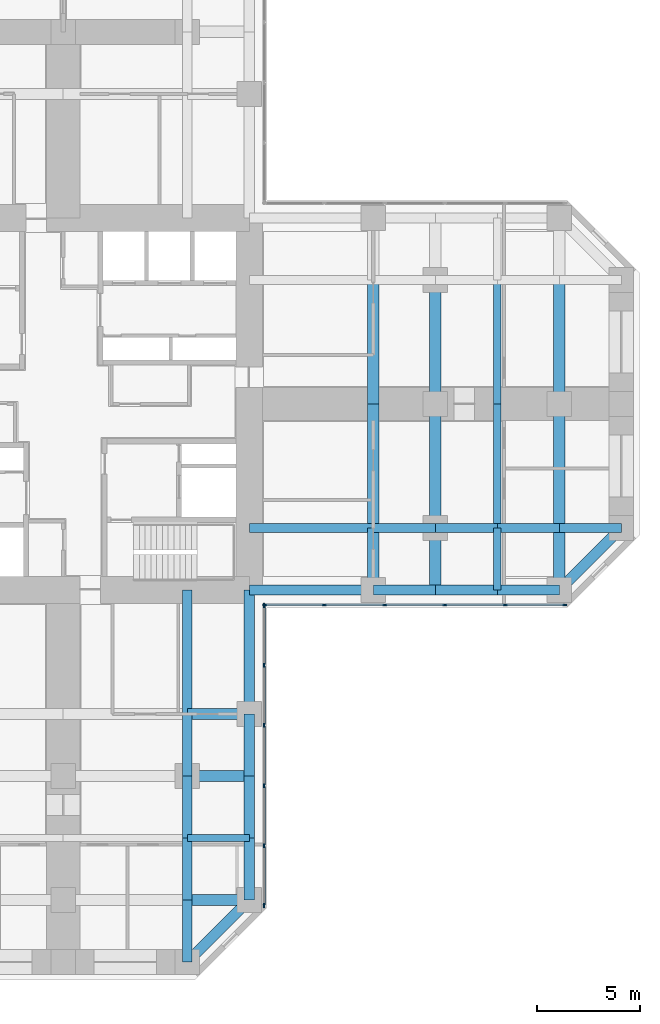
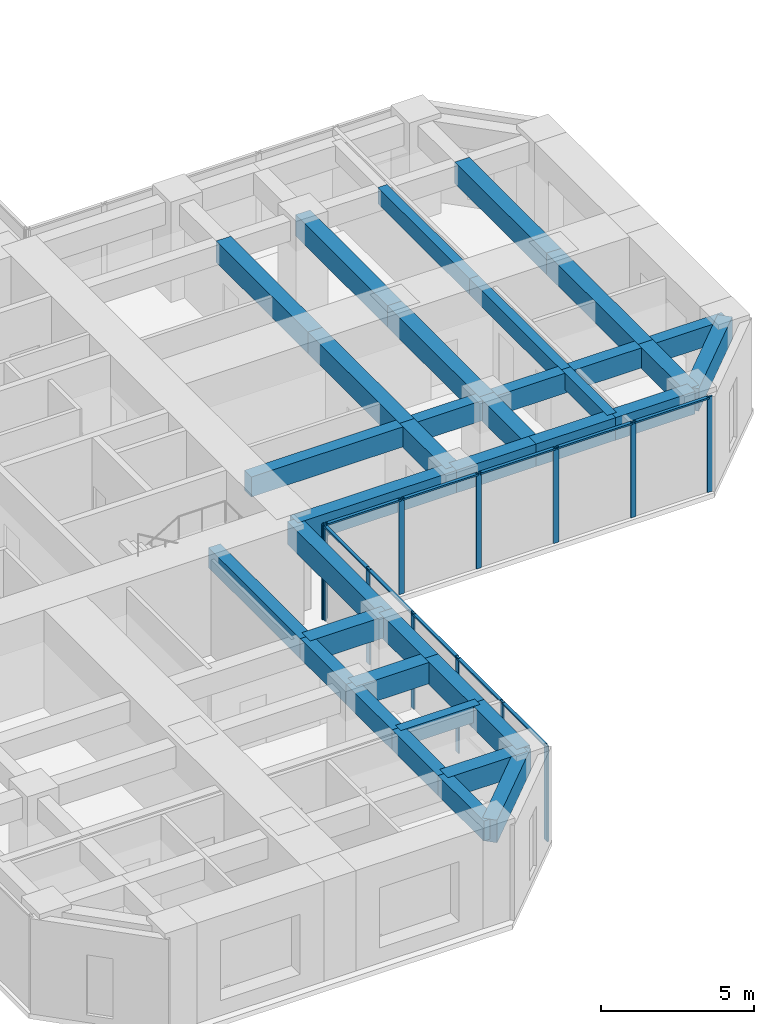
# One storey, part 4 of 13: 36 beams, 22 members, 2 elements without a shape of their own.
"""IFC4 building model written with IfcOpenShell, lengths in metres."""

from ifc_helpers import new_model, si_unit, direction, frame, origin, origin_2d, place, context, subcontext, project, spatial, rectangle, extrude, material, material_profile, profile_set, type_object, element, aggregate, save


model = new_model("IFC4")

# Units and contexts
model_context = context("Model", 3, precision=1e-05, world=origin(), true_north=direction((0.0, 1.0)))
body_context = subcontext(model_context, "Body", "Model", "MODEL_VIEW")
ifc_project = project(units=[si_unit("LENGTHUNIT", "METRE"), si_unit("AREAUNIT", "SQUARE_METRE"), si_unit("VOLUMEUNIT", "CUBIC_METRE"), si_unit("PLANEANGLEUNIT", "RADIAN"), si_unit("MASSUNIT", "GRAM", prefix="KILO")], contexts=[model_context])

# Site, building, storey
site_placement = place(None, origin())
site = spatial("IfcSite", under=ifc_project, at=site_placement, CompositionType="ELEMENT")
building_placement = place(site_placement, origin())
building = spatial("IfcBuilding", under=site, at=building_placement, Name="Torre Cruceta", CompositionType="ELEMENT")
storey_placement = place(building_placement, frame((0.0, 0.0, 31.5)))
storey = spatial("IfcBuildingStorey", under=building, at=storey_placement, Name="L07", CompositionType="ELEMENT", Elevation=31.5)

# Beams
ifc_material_1 = material(Name="Concrete G60 (fck 60 MPa)", Category="concrete")
ifc_material_profile_1 = material_profile(ifc_material_1, rectangle(XDim=0.449951171875, YDim=0.800048828125, at=origin_2d()), Name="RC 450X800")
ifc_profile_set_1 = profile_set([ifc_material_profile_1], Name="Concrete G60 (fck 60 MPa)")
beam_type_1 = type_object("IfcBeamType", Name="COLUMN LINE BEAM RC 450X800", PredefinedType="BEAM", material=ifc_profile_set_1)
beam_1_placement = place(storey_placement, frame((9.0, -6.0, 3.39990234375), z_axis=(1.0, 0.0, 0.0), x_axis=(0.0, 1.0, 0.0)))
element("IfcBeam", 1, at=beam_1_placement, inside=storey, type_object=beam_type_1, Name="LB1 L07 E col- 1", PredefinedType="BEAM", context=body_context, shape_type="SweptSolid", body=[
    extrude(rectangle(XDim=0.449951171875, YDim=0.800048828125, at=origin_2d()), origin(), (0.0, 0.0, 1.0), 6.0),
])
for number, where, z_axis, x_axis, name in (
    (2, (15.0, -6.0, 3.39990234375), (1.0, 0.0, 0.0), (0.0, 1.0, 0.0), "LB1 L07 E col- 2"),
    (3, (18.0, -6.0, 3.39990234375), (1.0, 0.0, 0.0), (0.0, 1.0, 0.0), "LB1 L07 E col- 3"),
    (4, (21.0, -6.0, 3.39990234375), (1.0, 0.0, 0.0), (0.0, 1.0, 0.0), "LB1 L07 E col- 4"),
    (5, (24.0, -6.0, 3.39990234375), (1.0, 0.0, 0.0), (0.0, 1.0, 0.0), "LB1 L07 E col- 5"),
):
    element("IfcBeam", number, at=place(storey_placement, frame(where, z_axis=z_axis, x_axis=x_axis)), inside=storey, type_object=beam_type_1, Name=name, PredefinedType="BEAM", context=body_context, shape_type="SweptSolid", body=[
        extrude(rectangle(XDim=0.449951171875, YDim=0.800048828125, at=origin_2d()), origin(), (0.0, 0.0, 1.0), 3.0),
    ])
beam_2_placement = place(storey_placement, frame((6.0, -9.0, 3.39990234375), z_axis=(0.0, -1.0, 0.0), x_axis=(1.0, 0.0, 0.0)))
element("IfcBeam", 6, at=beam_2_placement, inside=storey, type_object=beam_type_1, Name="LB1 L07 S col+ 1", PredefinedType="BEAM", context=body_context, shape_type="SweptSolid", body=[
    extrude(rectangle(XDim=0.449951171875, YDim=0.800048828125, at=origin_2d()), origin(), (0.0, 0.0, 1.0), 6.0),
])
for number, where, z_axis, x_axis, name in (
    (7, (6.0, -15.0, 3.39990234375), (0.0, -1.0, 0.0), (1.0, 0.0, 0.0), "LB1 L07 S col+ 2"),
    (8, (6.0, -18.0, 3.39990234375), (0.0, -1.0, 0.0), (1.0, 0.0, 0.0), "LB1 L07 S col+ 3"),
    (9, (6.0, -21.0, 3.39990234375), (0.0, -1.0, 0.0), (1.0, 0.0, 0.0), "LB1 L07 S col+ 4"),
    (10, (6.0, -24.0, 3.39990234375), (0.0, -1.0, 0.0), (1.0, 0.0, 0.0), "LB1 L07 S col+ 5"),
):
    element("IfcBeam", number, at=place(storey_placement, frame(where, z_axis=z_axis, x_axis=x_axis)), inside=storey, type_object=beam_type_1, Name=name, PredefinedType="BEAM", context=body_context, shape_type="SweptSolid", body=[
        extrude(rectangle(XDim=0.449951171875, YDim=0.800048828125, at=origin_2d()), origin(), (0.0, 0.0, 1.0), 3.0),
    ])
ifc_material_2 = material(Name="Concrete G60 (fck 60 MPa)", Category="concrete")
ifc_material_profile_2 = material_profile(ifc_material_2, rectangle(XDim=0.550048828125, YDim=0.85009765625, at=origin_2d()), Name="RC 550X850")
ifc_profile_set_2 = profile_set([ifc_material_profile_2], Name="Concrete G60 (fck 60 MPa)")
beam_type_2 = type_object("IfcBeamType", Name="CROSS BEAM RC 550X850", PredefinedType="BEAM", material=ifc_profile_set_2)
beam_3_placement = place(storey_placement, frame((15.0, -9.0, 3.375), z_axis=(0.0, 1.0, 0.0), x_axis=(-1.0, 0.0, 0.0)))
element("IfcBeam", 11, at=beam_3_placement, inside=storey, type_object=beam_type_2, Name="GB4 L07 E cross15 1", PredefinedType="BEAM", context=body_context, shape_type="SweptSolid", body=[
    extrude(rectangle(XDim=0.550048828125, YDim=0.85009765625, at=origin_2d()), origin(), (0.0, 0.0, 1.0), 3.0),
])
for number, where, z_axis, x_axis, name in (
    (12, (15.0, -6.0, 3.375), (0.0, 1.0, 0.0), (-1.0, 0.0, 0.0), "GB4 L07 E cross15 2"),
    (13, (15.0, 0.0, 3.375), (0.0, 1.0, 0.0), (-1.0, 0.0, 0.0), "GB4 L07 E cross15 3"),
):
    element("IfcBeam", number, at=place(storey_placement, frame(where, z_axis=z_axis, x_axis=x_axis)), inside=storey, type_object=beam_type_2, Name=name, PredefinedType="BEAM", context=body_context, shape_type="SweptSolid", body=[
        extrude(rectangle(XDim=0.550048828125, YDim=0.85009765625, at=origin_2d()), origin(), (0.0, 0.0, 1.0), 6.0),
    ])
beam_4_placement = place(storey_placement, frame((18.0, -9.0, 3.375), z_axis=(0.0, 1.0, 0.0), x_axis=(-1.0, 0.0, 0.0)))
element("IfcBeam", 14, at=beam_4_placement, inside=storey, type_object=beam_type_2, Name="GB4 L07 E cross18 1", PredefinedType="BEAM", context=body_context, shape_type="SweptSolid", body=[
    extrude(rectangle(XDim=0.550048828125, YDim=0.85009765625, at=origin_2d()), origin(), (0.0, 0.0, 1.0), 3.0),
])
for number, where, z_axis, x_axis, name in (
    (15, (18.0, -6.0, 3.375), (0.0, 1.0, 0.0), (-1.0, 0.0, 0.0), "GB4 L07 E cross18 2"),
    (16, (18.0, 0.0, 3.375), (0.0, 1.0, 0.0), (-1.0, 0.0, 0.0), "GB4 L07 E cross18 3"),
):
    element("IfcBeam", number, at=place(storey_placement, frame(where, z_axis=z_axis, x_axis=x_axis)), inside=storey, type_object=beam_type_2, Name=name, PredefinedType="BEAM", context=body_context, shape_type="SweptSolid", body=[
        extrude(rectangle(XDim=0.550048828125, YDim=0.85009765625, at=origin_2d()), origin(), (0.0, 0.0, 1.0), 6.0),
    ])
beam_5_placement = place(storey_placement, frame((24.0, -9.0, 3.375), z_axis=(0.0, 1.0, 0.0), x_axis=(-1.0, 0.0, 0.0)))
element("IfcBeam", 17, at=beam_5_placement, inside=storey, type_object=beam_type_2, Name="GB4 L07 E cross24 1", PredefinedType="BEAM", context=body_context, shape_type="SweptSolid", body=[
    extrude(rectangle(XDim=0.550048828125, YDim=0.85009765625, at=origin_2d()), origin(), (0.0, 0.0, 1.0), 3.0),
])
for number, where, z_axis, x_axis, name in (
    (18, (24.0, -6.0, 3.375), (0.0, 1.0, 0.0), (-1.0, 0.0, 0.0), "GB4 L07 E cross24 2"),
    (19, (24.0, 0.0, 3.375), (0.0, 1.0, 0.0), (-1.0, 0.0, 0.0), "GB4 L07 E cross24 3"),
):
    element("IfcBeam", number, at=place(storey_placement, frame(where, z_axis=z_axis, x_axis=x_axis)), inside=storey, type_object=beam_type_2, Name=name, PredefinedType="BEAM", context=body_context, shape_type="SweptSolid", body=[
        extrude(rectangle(XDim=0.550048828125, YDim=0.85009765625, at=origin_2d()), origin(), (0.0, 0.0, 1.0), 6.0),
    ])
for number, where, z_axis, x_axis, name in (
    (20, (6.0, -15.0, 3.375), (1.0, 0.0, 0.0), (0.0, 1.0, 0.0), "GB4 L07 S cross15 4"),
    (21, (6.0, -18.0, 3.375), (1.0, 0.0, 0.0), (0.0, 1.0, 0.0), "GB4 L07 S cross18 4"),
    (22, (6.0, -24.0, 3.375), (1.0, 0.0, 0.0), (0.0, 1.0, 0.0), "GB4 L07 S cross24 4"),
):
    element("IfcBeam", number, at=place(storey_placement, frame(where, z_axis=z_axis, x_axis=x_axis)), inside=storey, type_object=beam_type_2, Name=name, PredefinedType="BEAM", context=body_context, shape_type="SweptSolid", body=[
        extrude(rectangle(XDim=0.550048828125, YDim=0.85009765625, at=origin_2d()), origin(), (0.0, 0.0, 1.0), 3.0),
    ])

# Curtain wall, members
ifc_material_3 = material(Name="Aluminium unitised curtain wall", Category="aluminium")
curtain_wall_type = type_object("IfcCurtainWallType", Name="CURTAIN WALL CW-A OFFICE LOW RISE", PredefinedType="USERDEFINED", material=ifc_material_3)
curtain_wall_1_placement = place(storey_placement, origin())
curtain_wall_1 = element("IfcCurtainWall", 23, at=curtain_wall_1_placement, inside=storey, type_object=curtain_wall_type, Name="CW-A L07 E side 00", ObjectType="UNITISED", PredefinedType="USERDEFINED")
ifc_material_4 = material(Name="Aluminium mullion", Category="aluminium")
ifc_material_profile_3 = material_profile(ifc_material_4, rectangle(XDim=0.06494140625, YDim=0.199951171875, at=origin_2d()), Name="AL 65X200")
ifc_profile_set_3 = profile_set([ifc_material_profile_3], Name="Aluminium mullion")
member_type_1 = type_object("IfcMemberType", Name="CW-A MULLION 65X200", PredefinedType="MULLION", material=ifc_profile_set_3)
member_1_placement = place(storey_placement, frame((9.75244140625, -9.719970703125, 0.0), z_axis=(0.0, 0.0, 1.0), x_axis=(0.0, 1.0, 0.0)))
member_1 = element("IfcMember", 24, at=member_1_placement, type_object=member_type_1, Name="CW-A mullion 1", PredefinedType="MULLION", context=body_context, shape_type="SweptSolid", body=[
    extrude(rectangle(XDim=0.06494140625, YDim=0.199951171875, at=origin_2d()), origin(), (0.0, 0.0, 1.0), 3.800048828125),
])
member_2_placement = place(storey_placement, frame((12.6357421875, -9.719970703125, 0.0), z_axis=(0.0, 0.0, 1.0), x_axis=(0.0, 1.0, 0.0)))
member_2 = element("IfcMember", 25, at=member_2_placement, type_object=member_type_1, Name="CW-A mullion 2", PredefinedType="MULLION", context=body_context, shape_type="SweptSolid", body=[
    extrude(rectangle(XDim=0.06494140625, YDim=0.199951171875, at=origin_2d()), origin(), (0.0, 0.0, 1.0), 3.800048828125),
])
member_3_placement = place(storey_placement, frame((15.55126953125, -9.719970703125, 0.0), z_axis=(0.0, 0.0, 1.0), x_axis=(0.0, 1.0, 0.0)))
member_3 = element("IfcMember", 26, at=member_3_placement, type_object=member_type_1, Name="CW-A mullion 3", PredefinedType="MULLION", context=body_context, shape_type="SweptSolid", body=[
    extrude(rectangle(XDim=0.06494140625, YDim=0.199951171875, at=origin_2d()), origin(), (0.0, 0.0, 1.0), 3.800048828125),
])
member_4_placement = place(storey_placement, frame((18.467041015625, -9.719970703125, 0.0), z_axis=(0.0, 0.0, 1.0), x_axis=(0.0, 1.0, 0.0)))
member_4 = element("IfcMember", 27, at=member_4_placement, type_object=member_type_1, Name="CW-A mullion 4", PredefinedType="MULLION", context=body_context, shape_type="SweptSolid", body=[
    extrude(rectangle(XDim=0.06494140625, YDim=0.199951171875, at=origin_2d()), origin(), (0.0, 0.0, 1.0), 3.800048828125),
])
member_5_placement = place(storey_placement, frame((21.382568359375, -9.719970703125, 0.0), z_axis=(0.0, 0.0, 1.0), x_axis=(0.0, 1.0, 0.0)))
member_5 = element("IfcMember", 28, at=member_5_placement, type_object=member_type_1, Name="CW-A mullion 5", PredefinedType="MULLION", context=body_context, shape_type="SweptSolid", body=[
    extrude(rectangle(XDim=0.06494140625, YDim=0.199951171875, at=origin_2d()), origin(), (0.0, 0.0, 1.0), 3.800048828125),
])
member_6_placement = place(storey_placement, frame((24.265625, -9.719970703125, 0.0), z_axis=(0.0, 0.0, 1.0), x_axis=(0.0, 1.0, 0.0)))
member_6 = element("IfcMember", 29, at=member_6_placement, type_object=member_type_1, Name="CW-A mullion 6", PredefinedType="MULLION", context=body_context, shape_type="SweptSolid", body=[
    extrude(rectangle(XDim=0.06494140625, YDim=0.199951171875, at=origin_2d()), origin(), (0.0, 0.0, 1.0), 3.800048828125),
])

curtain_wall_2_placement = place(storey_placement, origin())
curtain_wall_2 = element("IfcCurtainWall", 30, at=curtain_wall_2_placement, inside=storey, type_object=curtain_wall_type, Name="CW-A L07 S side 19", ObjectType="UNITISED", PredefinedType="USERDEFINED")
member_7_placement = place(storey_placement, frame((9.719970703125, -24.265625, 0.0), z_axis=(0.0, 0.0, 1.0), x_axis=(-1.0, 0.0, 0.0)))
member_7 = element("IfcMember", 31, at=member_7_placement, type_object=member_type_1, Name="CW-A mullion 1", PredefinedType="MULLION", context=body_context, shape_type="SweptSolid", body=[
    extrude(rectangle(XDim=0.06494140625, YDim=0.199951171875, at=origin_2d()), origin(), (0.0, 0.0, 1.0), 3.800048828125),
])
member_8_placement = place(storey_placement, frame((9.719970703125, -21.382568359375, 0.0), z_axis=(0.0, 0.0, 1.0), x_axis=(-1.0, 0.0, 0.0)))
member_8 = element("IfcMember", 32, at=member_8_placement, type_object=member_type_1, Name="CW-A mullion 2", PredefinedType="MULLION", context=body_context, shape_type="SweptSolid", body=[
    extrude(rectangle(XDim=0.06494140625, YDim=0.199951171875, at=origin_2d()), origin(), (0.0, 0.0, 1.0), 3.800048828125),
])
member_9_placement = place(storey_placement, frame((9.719970703125, -18.467041015625, 0.0), z_axis=(0.0, 0.0, 1.0), x_axis=(-1.0, 0.0, 0.0)))
member_9 = element("IfcMember", 33, at=member_9_placement, type_object=member_type_1, Name="CW-A mullion 3", PredefinedType="MULLION", context=body_context, shape_type="SweptSolid", body=[
    extrude(rectangle(XDim=0.06494140625, YDim=0.199951171875, at=origin_2d()), origin(), (0.0, 0.0, 1.0), 3.800048828125),
])
member_10_placement = place(storey_placement, frame((9.719970703125, -15.55126953125, 0.0), z_axis=(0.0, 0.0, 1.0), x_axis=(-1.0, 0.0, 0.0)))
member_10 = element("IfcMember", 34, at=member_10_placement, type_object=member_type_1, Name="CW-A mullion 4", PredefinedType="MULLION", context=body_context, shape_type="SweptSolid", body=[
    extrude(rectangle(XDim=0.06494140625, YDim=0.199951171875, at=origin_2d()), origin(), (0.0, 0.0, 1.0), 3.800048828125),
])
member_11_placement = place(storey_placement, frame((9.719970703125, -12.6357421875, 0.0), z_axis=(0.0, 0.0, 1.0), x_axis=(-1.0, 0.0, 0.0)))
member_11 = element("IfcMember", 35, at=member_11_placement, type_object=member_type_1, Name="CW-A mullion 5", PredefinedType="MULLION", context=body_context, shape_type="SweptSolid", body=[
    extrude(rectangle(XDim=0.06494140625, YDim=0.199951171875, at=origin_2d()), origin(), (0.0, 0.0, 1.0), 3.800048828125),
])
member_12_placement = place(storey_placement, frame((9.719970703125, -9.75244140625, 0.0), z_axis=(0.0, 0.0, 1.0), x_axis=(-1.0, 0.0, 0.0)))
member_12 = element("IfcMember", 36, at=member_12_placement, type_object=member_type_1, Name="CW-A mullion 6", PredefinedType="MULLION", context=body_context, shape_type="SweptSolid", body=[
    extrude(rectangle(XDim=0.06494140625, YDim=0.199951171875, at=origin_2d()), origin(), (0.0, 0.0, 1.0), 3.800048828125),
])

# Member
ifc_material_5 = material(Name="Aluminium transom", Category="aluminium")
ifc_material_profile_4 = material_profile(ifc_material_5, rectangle(XDim=0.1201171875, YDim=0.06494140625, at=origin_2d()), Name="AL 120X65")
ifc_profile_set_4 = profile_set([ifc_material_profile_4], Name="Aluminium transom")
member_type_2 = type_object("IfcMemberType", Name="CW-A TRANSOM 65X120", PredefinedType="USERDEFINED", material=ifc_profile_set_4)
member_13_placement = place(storey_placement, frame((9.784912109375, -9.719970703125, 3.767578125), z_axis=(1.0, 0.0, 0.0), x_axis=(0.0, 1.0, 0.0)))
member_13 = element("IfcMember", 37, at=member_13_placement, type_object=member_type_2, Name="CW-A transom 1", ObjectType="TRANSOM", PredefinedType="USERDEFINED", context=body_context, shape_type="SweptSolid", body=[
    extrude(rectangle(XDim=0.1201171875, YDim=0.06494140625, at=origin_2d()), origin(), (0.0, 0.0, 1.0), 2.818115234375),
])

member_14_placement = place(storey_placement, frame((12.668212890625, -9.719970703125, 3.767578125), z_axis=(1.0, 0.0, 0.0), x_axis=(0.0, 1.0, 0.0)))
member_14 = element("IfcMember", 38, at=member_14_placement, type_object=member_type_2, Name="CW-A transom 2", ObjectType="TRANSOM", PredefinedType="USERDEFINED", context=body_context, shape_type="SweptSolid", body=[
    extrude(rectangle(XDim=0.1201171875, YDim=0.06494140625, at=origin_2d()), origin(), (0.0, 0.0, 1.0), 2.8505859375),
])

member_15_placement = place(storey_placement, frame((15.583740234375, -9.719970703125, 3.767578125), z_axis=(1.0, 0.0, 0.0), x_axis=(0.0, 1.0, 0.0)))
member_15 = element("IfcMember", 39, at=member_15_placement, type_object=member_type_2, Name="CW-A transom 3", ObjectType="TRANSOM", PredefinedType="USERDEFINED", context=body_context, shape_type="SweptSolid", body=[
    extrude(rectangle(XDim=0.1201171875, YDim=0.06494140625, at=origin_2d()), origin(), (0.0, 0.0, 1.0), 2.8505859375),
])

member_16_placement = place(storey_placement, frame((18.49951171875, -9.719970703125, 3.767578125), z_axis=(1.0, 0.0, 0.0), x_axis=(0.0, 1.0, 0.0)))
member_16 = element("IfcMember", 40, at=member_16_placement, type_object=member_type_2, Name="CW-A transom 4", ObjectType="TRANSOM", PredefinedType="USERDEFINED", context=body_context, shape_type="SweptSolid", body=[
    extrude(rectangle(XDim=0.1201171875, YDim=0.06494140625, at=origin_2d()), origin(), (0.0, 0.0, 1.0), 2.8505859375),
])

member_17_placement = place(storey_placement, frame((21.4150390625, -9.719970703125, 3.767578125), z_axis=(1.0, 0.0, 0.0), x_axis=(0.0, 1.0, 0.0)))
member_17 = element("IfcMember", 41, at=member_17_placement, type_object=member_type_2, Name="CW-A transom 5", ObjectType="TRANSOM", PredefinedType="USERDEFINED", context=body_context, shape_type="SweptSolid", body=[
    extrude(rectangle(XDim=0.1201171875, YDim=0.06494140625, at=origin_2d()), origin(), (0.0, 0.0, 1.0), 2.818115234375),
])

aggregate(curtain_wall_1, [member_1, member_2, member_3, member_4, member_5, member_6, member_13, member_14, member_15, member_16, member_17])

member_18_placement = place(storey_placement, frame((9.719970703125, -24.233154296875, 3.767578125), z_axis=(0.0, 1.0, 0.0), x_axis=(-1.0, 0.0, 0.0)))
member_18 = element("IfcMember", 42, at=member_18_placement, type_object=member_type_2, Name="CW-A transom 1", ObjectType="TRANSOM", PredefinedType="USERDEFINED", context=body_context, shape_type="SweptSolid", body=[
    extrude(rectangle(XDim=0.1201171875, YDim=0.06494140625, at=origin_2d()), origin(), (0.0, 0.0, 1.0), 2.818115234375),
])

member_19_placement = place(storey_placement, frame((9.719970703125, -21.35009765625, 3.767578125), z_axis=(0.0, 1.0, 0.0), x_axis=(-1.0, 0.0, 0.0)))
member_19 = element("IfcMember", 43, at=member_19_placement, type_object=member_type_2, Name="CW-A transom 2", ObjectType="TRANSOM", PredefinedType="USERDEFINED", context=body_context, shape_type="SweptSolid", body=[
    extrude(rectangle(XDim=0.1201171875, YDim=0.06494140625, at=origin_2d()), origin(), (0.0, 0.0, 1.0), 2.8505859375),
])

member_20_placement = place(storey_placement, frame((9.719970703125, -18.434326171875, 3.767578125), z_axis=(0.0, 1.0, 0.0), x_axis=(-1.0, 0.0, 0.0)))
member_20 = element("IfcMember", 44, at=member_20_placement, type_object=member_type_2, Name="CW-A transom 3", ObjectType="TRANSOM", PredefinedType="USERDEFINED", context=body_context, shape_type="SweptSolid", body=[
    extrude(rectangle(XDim=0.1201171875, YDim=0.06494140625, at=origin_2d()), origin(), (0.0, 0.0, 1.0), 2.8505859375),
])

member_21_placement = place(storey_placement, frame((9.719970703125, -15.518798828125, 3.767578125), z_axis=(0.0, 1.0, 0.0), x_axis=(-1.0, 0.0, 0.0)))
member_21 = element("IfcMember", 45, at=member_21_placement, type_object=member_type_2, Name="CW-A transom 4", ObjectType="TRANSOM", PredefinedType="USERDEFINED", context=body_context, shape_type="SweptSolid", body=[
    extrude(rectangle(XDim=0.1201171875, YDim=0.06494140625, at=origin_2d()), origin(), (0.0, 0.0, 1.0), 2.8505859375),
])

member_22_placement = place(storey_placement, frame((9.719970703125, -12.60302734375, 3.767578125), z_axis=(0.0, 1.0, 0.0), x_axis=(-1.0, 0.0, 0.0)))
member_22 = element("IfcMember", 46, at=member_22_placement, type_object=member_type_2, Name="CW-A transom 5", ObjectType="TRANSOM", PredefinedType="USERDEFINED", context=body_context, shape_type="SweptSolid", body=[
    extrude(rectangle(XDim=0.1201171875, YDim=0.06494140625, at=origin_2d()), origin(), (0.0, 0.0, 1.0), 2.818115234375),
])

aggregate(curtain_wall_2, [member_7, member_8, member_9, member_10, member_11, member_12, member_18, member_19, member_20, member_21, member_22])

# Beams
ifc_material_6 = material(Name="Concrete G60 (fck 60 MPa)", Category="concrete")
ifc_material_profile_5 = material_profile(ifc_material_6, rectangle(XDim=0.35009765625, YDim=0.64990234375, at=origin_2d()), Name="RC 350X650")
ifc_profile_set_5 = profile_set([ifc_material_profile_5], Name="Concrete G60 (fck 60 MPa)")
beam_type_3 = type_object("IfcBeamType", Name="SECONDARY BEAM RC 350X650", PredefinedType="JOIST", material=ifc_profile_set_5)
beam_6_placement = place(storey_placement, frame((21.0, -9.0, 3.47509765625), z_axis=(0.0, 1.0, 0.0), x_axis=(-1.0, 0.0, 0.0)))
element("IfcBeam", 47, at=beam_6_placement, inside=storey, type_object=beam_type_3, Name="JB3 L07 E sec21 1", PredefinedType="JOIST", context=body_context, shape_type="SweptSolid", body=[
    extrude(rectangle(XDim=0.35009765625, YDim=0.64990234375, at=origin_2d()), origin(), (0.0, 0.0, 1.0), 3.0),
])
for number, where, z_axis, x_axis, name in (
    (48, (21.0, -6.0, 3.47509765625), (0.0, 1.0, 0.0), (-1.0, 0.0, 0.0), "JB3 L07 E sec21 2"),
    (49, (21.0, 0.0, 3.47509765625), (0.0, 1.0, 0.0), (-1.0, 0.0, 0.0), "JB3 L07 E sec21 3"),
):
    element("IfcBeam", number, at=place(storey_placement, frame(where, z_axis=z_axis, x_axis=x_axis)), inside=storey, type_object=beam_type_3, Name=name, PredefinedType="JOIST", context=body_context, shape_type="SweptSolid", body=[
        extrude(rectangle(XDim=0.35009765625, YDim=0.64990234375, at=origin_2d()), origin(), (0.0, 0.0, 1.0), 6.0),
    ])
beam_7_placement = place(storey_placement, frame((6.0, -21.0, 3.47509765625), z_axis=(1.0, 0.0, 0.0), x_axis=(0.0, 1.0, 0.0)))
element("IfcBeam", 50, at=beam_7_placement, inside=storey, type_object=beam_type_3, Name="JB3 L07 S sec21 4", PredefinedType="JOIST", context=body_context, shape_type="SweptSolid", body=[
    extrude(rectangle(XDim=0.35009765625, YDim=0.64990234375, at=origin_2d()), origin(), (0.0, 0.0, 1.0), 3.0),
])
ifc_material_7 = material(Name="Concrete G60 (fck 60 MPa)", Category="concrete")
ifc_material_profile_6 = material_profile(ifc_material_7, rectangle(XDim=0.5, YDim=0.89990234375, at=origin_2d()), Name="RC 500X900")
ifc_profile_set_6 = profile_set([ifc_material_profile_6], Name="Concrete G60 (fck 60 MPa)")
beam_type_4 = type_object("IfcBeamType", Name="SPANDREL BEAM RC 500X900", PredefinedType="SPANDREL", material=ifc_profile_set_6)
beam_8_placement = place(storey_placement, frame((9.0, -9.0, 3.35009765625), z_axis=(1.0, 0.0, 0.0), x_axis=(0.0, 1.0, 0.0)))
element("IfcBeam", 51, at=beam_8_placement, inside=storey, type_object=beam_type_4, Name="SB4 L07 E side- 1", PredefinedType="SPANDREL", context=body_context, shape_type="SweptSolid", body=[
    extrude(rectangle(XDim=0.5, YDim=0.89990234375, at=origin_2d()), origin(), (0.0, 0.0, 1.0), 6.0),
])
for number, where, z_axis, x_axis, name in (
    (52, (15.0, -9.0, 3.35009765625), (1.0, 0.0, 0.0), (0.0, 1.0, 0.0), "SB4 L07 E side- 2"),
    (53, (18.0, -9.0, 3.35009765625), (1.0, 0.0, 0.0), (0.0, 1.0, 0.0), "SB4 L07 E side- 3"),
    (54, (21.0, -9.0, 3.35009765625), (1.0, 0.0, 0.0), (0.0, 1.0, 0.0), "SB4 L07 E side- 4"),
):
    element("IfcBeam", number, at=place(storey_placement, frame(where, z_axis=z_axis, x_axis=x_axis)), inside=storey, type_object=beam_type_4, Name=name, PredefinedType="SPANDREL", context=body_context, shape_type="SweptSolid", body=[
        extrude(rectangle(XDim=0.5, YDim=0.89990234375, at=origin_2d()), origin(), (0.0, 0.0, 1.0), 3.0),
    ])
beam_9_placement = place(storey_placement, frame((24.0, -9.0, 3.35009765625), z_axis=(0.707106781187, 0.707106781187, 0.0), x_axis=(-0.707106781187, 0.707106781187, 0.0)))
element("IfcBeam", 55, at=beam_9_placement, inside=storey, type_object=beam_type_4, Name="SB4 L07 E side- 5", PredefinedType="SPANDREL", context=body_context, shape_type="SweptSolid", body=[
    extrude(rectangle(XDim=0.5, YDim=0.89990234375, at=origin_2d()), origin(), (0.0, 0.0, 1.0), 4.24267578125),
])
beam_10_placement = place(storey_placement, frame((9.0, -9.0, 3.35009765625), z_axis=(0.0, -1.0, 0.0), x_axis=(1.0, 0.0, 0.0)))
element("IfcBeam", 56, at=beam_10_placement, inside=storey, type_object=beam_type_4, Name="SB4 L07 S side+ 1", PredefinedType="SPANDREL", context=body_context, shape_type="SweptSolid", body=[
    extrude(rectangle(XDim=0.5, YDim=0.89990234375, at=origin_2d()), origin(), (0.0, 0.0, 1.0), 6.0),
])
for number, where, z_axis, x_axis, name in (
    (57, (9.0, -15.0, 3.35009765625), (0.0, -1.0, 0.0), (1.0, 0.0, 0.0), "SB4 L07 S side+ 2"),
    (58, (9.0, -18.0, 3.35009765625), (0.0, -1.0, 0.0), (1.0, 0.0, 0.0), "SB4 L07 S side+ 3"),
    (59, (9.0, -21.0, 3.35009765625), (0.0, -1.0, 0.0), (1.0, 0.0, 0.0), "SB4 L07 S side+ 4"),
):
    element("IfcBeam", number, at=place(storey_placement, frame(where, z_axis=z_axis, x_axis=x_axis)), inside=storey, type_object=beam_type_4, Name=name, PredefinedType="SPANDREL", context=body_context, shape_type="SweptSolid", body=[
        extrude(rectangle(XDim=0.5, YDim=0.89990234375, at=origin_2d()), origin(), (0.0, 0.0, 1.0), 3.0),
    ])
beam_11_placement = place(storey_placement, frame((9.0, -24.0, 3.35009765625), z_axis=(-0.707106781187, -0.707106781187, 0.0), x_axis=(0.707106781187, -0.707106781187, 0.0)))
element("IfcBeam", 60, at=beam_11_placement, inside=storey, type_object=beam_type_4, Name="SB4 L07 S side+ 5", PredefinedType="SPANDREL", context=body_context, shape_type="SweptSolid", body=[
    extrude(rectangle(XDim=0.5, YDim=0.89990234375, at=origin_2d()), origin(), (0.0, 0.0, 1.0), 4.24267578125),
])

save(model, "model.ifc")
